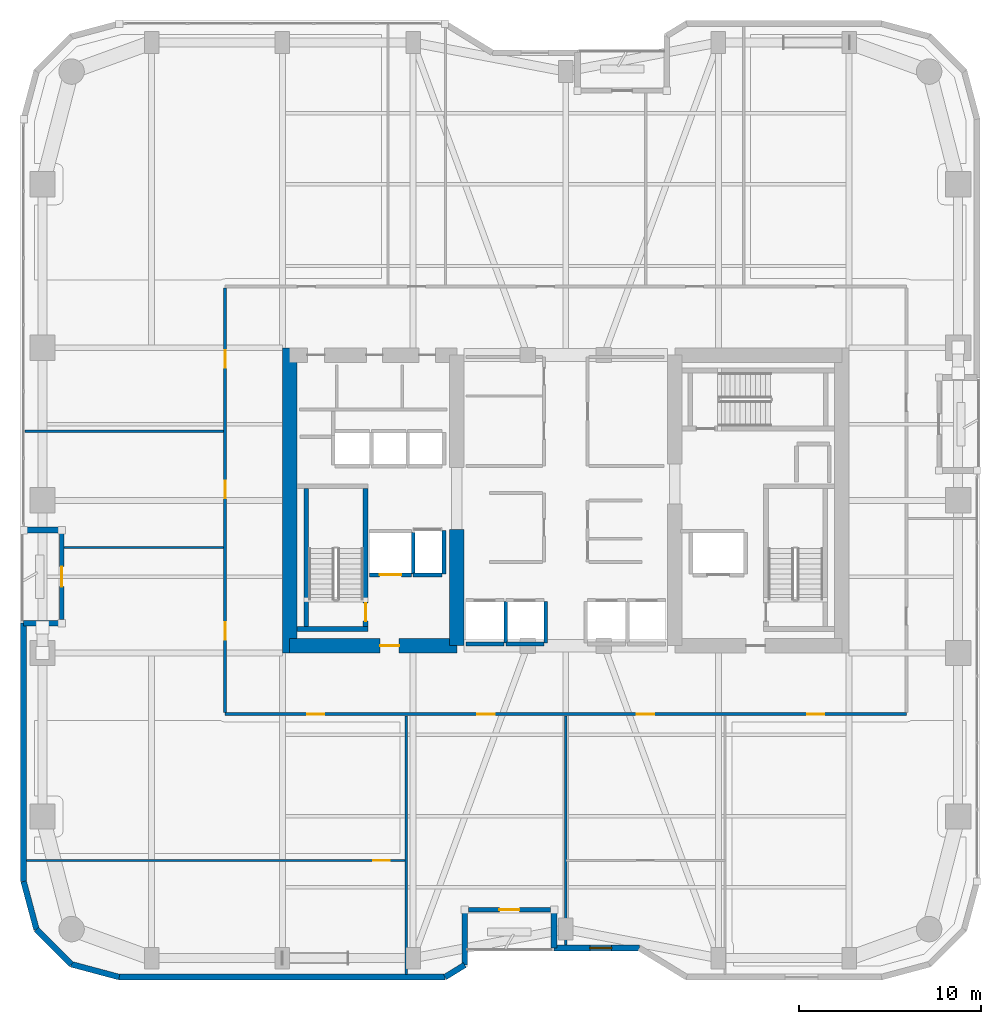
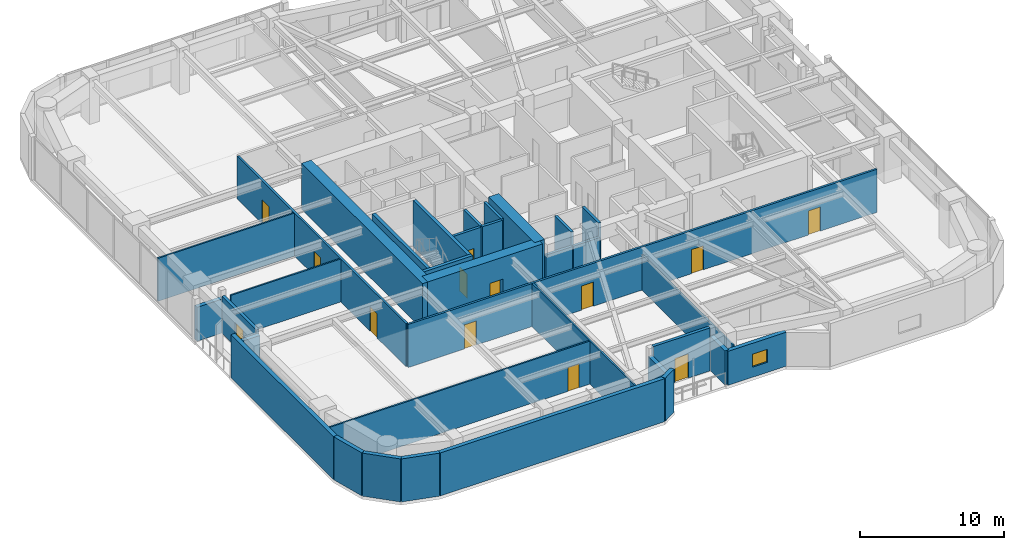
# One storey, part 18 of 24: 34 walls, 13 doors, 1 window, 14 openings.
"""IFC4 building model written with IfcOpenShell, lengths in metres."""

from ifc_helpers import new_model, si_unit, direction, frame, frame_2d, origin, place, context, subcontext, project, spatial, rectangle, extrude, material, layer, layer_set, type_object, element, fill, save


model = new_model("IFC4")

# Units and contexts
model_context = context("Model", 3, precision=1e-05, world=origin(), true_north=direction((0.0, 1.0)))
body_context = subcontext(model_context, "Body", "Model", "MODEL_VIEW")
ifc_project = project(units=[si_unit("LENGTHUNIT", "METRE"), si_unit("AREAUNIT", "SQUARE_METRE"), si_unit("VOLUMEUNIT", "CUBIC_METRE"), si_unit("PLANEANGLEUNIT", "RADIAN"), si_unit("MASSUNIT", "GRAM", prefix="KILO")], contexts=[model_context])

# Site, building, storey
site_placement = place(None, origin())
site = spatial("IfcSite", under=ifc_project, at=site_placement, CompositionType="ELEMENT")
building_placement = place(site_placement, origin())
building = spatial("IfcBuilding", under=site, at=building_placement, Name="Kiyonajd Concourse Tower", CompositionType="ELEMENT")
storey_placement = place(building_placement, frame((0.0, 0.0, 93.60009765625)))
storey = spatial("IfcBuildingStorey", under=building, at=storey_placement, Name="L24", CompositionType="ELEMENT", Elevation=93.60009765625)

# Walls
ifc_material_1 = material(Name="Concrete C70/85", Category="concrete")
ifc_layer_1 = layer(ifc_material_1, 0.800048828125)
ifc_layer_set_1 = layer_set([ifc_layer_1], Name="Concrete C70/85")
wall_type_1 = type_object("IfcWallType", Name="WL-CORE-800", PredefinedType="SHEAR", material=ifc_layer_set_1)
wall_1_placement = place(storey_placement, frame((32.800048828125, 27.60009765625, 0.0), z_axis=(0.0, 0.0, 1.0), x_axis=(0.0, 1.0, 0.0)))
element("IfcWall", 1, at=wall_1_placement, inside=storey, type_object=wall_type_1, Name="L24 West Core Outer Shear Wall", PredefinedType="SHEAR", context=body_context, shape_type="SweptSolid", body=[
    extrude(rectangle(XDim=16.7998046875, YDim=0.800048828125, at=frame_2d((8.39990234375, 0.0))), origin(), (0.0, 0.0, 1.0), 3.89990234375),
])
wall_2_placement = place(storey_placement, frame((42.0, 28.0, 0.0), z_axis=(0.0, 0.0, 1.0), x_axis=(0.0, 1.0, 0.0)))
element("IfcWall", 2, at=wall_2_placement, inside=storey, type_object=wall_type_1, Name="L24 West Core Inner South Shear Wall", PredefinedType="SHEAR", context=body_context, shape_type="SweptSolid", body=[
    extrude(rectangle(XDim=6.39990234375, YDim=0.800048828125, at=frame_2d((3.199951171875, 0.0))), origin(), (0.0, 0.0, 1.0), 3.89990234375),
])

# Wall, opening, door
wall_3_placement = place(storey_placement, frame((32.800048828125, 28.0, 0.0), z_axis=(0.0, 0.0, 1.0), x_axis=(1.0, 0.0, 0.0)))
wall_3 = element("IfcWall", 3, at=wall_3_placement, inside=storey, type_object=wall_type_1, Name="L24 West Core South Shear Wall", PredefinedType="SHEAR", context=body_context, shape_type="SweptSolid", body=[
    extrude(rectangle(XDim=9.199951171875, YDim=0.800048828125, at=frame_2d((4.60009765625, 0.0))), origin(), (0.0, 0.0, 1.0), 3.89990234375),
])
opening_1_placement = place(wall_3_placement, frame((4.97509765625, 0.0, 0.0)))
opening_1 = element("IfcOpeningElement", 4, at=opening_1_placement, cuts=wall_3, Name="Opening DF5", PredefinedType="OPENING", context=body_context, shape_type="SweptSolid", body=[
    extrude(rectangle(XDim=1.050048828125, YDim=2.0400390625, at=frame_2d((0.52490234375, 1.02001953125))), frame((0.0, 0.409912109375, 0.0), z_axis=(0.0, -1.0, 0.0), x_axis=(1.0, 0.0, 0.0)), (0.0, 0.0, 1.0), 0.820068359375),
])
ifc_material_2 = material(Name="Brushed Stainless Steel Cab Assembly", Category="steel")
door_type_1 = type_object("IfcDoorType", Name="DR-FD45-1050", OperationType="NOTDEFINED", PredefinedType="DOOR", material=ifc_material_2)
door_1_placement = place(opening_1_placement, origin())
door_1 = element("IfcDoor", 5, at=door_1_placement, inside=storey, type_object=door_type_1, Name="L24 Firefighting Lift Lobby W Smoke Door", OperationType="SINGLE_SWING_LEFT", OverallHeight=2.0400390625, OverallWidth=1.050048828125, PredefinedType="DOOR", context=body_context, shape_type="SweptSolid", body=[
    extrude(rectangle(XDim=1.050048828125, YDim=2.0400390625, at=frame_2d((0.52490234375, 1.02001953125))), frame((0.0, 0.02490234375, 0.0), z_axis=(0.0, -1.0, 0.0), x_axis=(1.0, 0.0, 0.0)), (0.0, 0.0, 1.0), 0.050048828125),
])
fill(opening_1, door_1)

# Walls
ifc_material_3 = material(Name="Precast concrete C50/60", Category="concrete")
ifc_layer_2 = layer(ifc_material_3, 0.320068359375)
ifc_layer_set_2 = layer_set([ifc_layer_2], Name="Precast concrete C50/60")
wall_type_2 = type_object("IfcWallType", Name="WL-EXT-320", PredefinedType="SOLIDWALL", material=ifc_layer_set_2)
wall_4_placement = place(storey_placement, frame((18.866455078125, 12.3828125, 0.0), z_axis=(0.0, 0.0, 1.0), x_axis=(-0.25869736047, 0.965958423373, 0.0)))
element("IfcWall", 6, at=wall_4_placement, inside=storey, type_object=wall_type_2, Name="L24 Exterior Concrete Frame Wall 00", PredefinedType="SOLIDWALL", context=body_context, shape_type="SweptSolid", body=[
    extrude(rectangle(XDim=2.731201171875, YDim=0.320068359375, at=frame_2d((1.36572265625, 0.0))), origin(), (0.0, 0.0, 1.0), 3.639892578125),
])
wall_5_placement = place(storey_placement, frame((18.159912109375, 15.02099609375, 0.0), z_axis=(0.0, 0.0, 1.0), x_axis=(0.0, 1.0, 0.0)))
element("IfcWall", 7, at=wall_5_placement, inside=storey, type_object=wall_type_2, Name="L24 Exterior Concrete Frame Wall 01", PredefinedType="SOLIDWALL", context=body_context, shape_type="SweptSolid", body=[
    extrude(rectangle(XDim=14.218994140625, YDim=0.320068359375, at=frame_2d((7.109375, 0.0))), origin(), (0.0, 0.0, 1.0), 3.639892578125),
])
for number, where, z_axis, x_axis, name in (
    (8, (18.159912109375, 29.239990234375, 0.0), (0.0, 0.0, 1.0), (1.0, 0.0, 0.0), "L24 Exterior Concrete Frame Wall 02"),
    (9, (20.260009765625, 34.360107421875, 0.0), (0.0, 0.0, 1.0), (-1.0, 0.0, 0.0), "L24 Exterior Concrete Frame Wall 04"),
):
    element("IfcWall", number, at=place(storey_placement, frame(where, z_axis=z_axis, x_axis=x_axis)), inside=storey, type_object=wall_type_2, Name=name, PredefinedType="SOLIDWALL", context=body_context, shape_type="SweptSolid", body=[
        extrude(rectangle(XDim=2.10009765625, YDim=0.320068359375, at=frame_2d((1.050048828125, 0.0))), origin(), (0.0, 0.0, 1.0), 2.875),
    ])

# Wall, opening, window
wall_6_placement = place(storey_placement, frame((52.04541015625, 11.360107421875, 0.0), z_axis=(0.0, 0.0, 1.0), x_axis=(-1.0, 0.0, 0.0)))
wall_6 = element("IfcWall", 10, at=wall_6_placement, inside=storey, type_object=wall_type_2, Name="L24 Exterior Concrete Frame Wall 30", PredefinedType="SOLIDWALL", context=body_context, shape_type="SweptSolid", body=[
    extrude(rectangle(XDim=4.685302734375, YDim=0.320068359375, at=frame_2d((2.3427734375, 0.0))), origin(), (0.0, 0.0, 1.0), 2.875),
])
opening_2_placement = place(wall_6_placement, frame((1.51806640625, 0.0, 0.85009765625)))
opening_2 = element("IfcOpeningElement", 11, at=opening_2_placement, cuts=wall_6, Name="Opening WN3", PredefinedType="OPENING", context=body_context, shape_type="SweptSolid", body=[
    extrude(rectangle(XDim=1.199951171875, YDim=1.10009765625, at=frame_2d((0.60009765625, 0.550048828125))), frame((0.0, 0.169921875, 0.0), z_axis=(0.0, -1.0, 0.0), x_axis=(1.0, 0.0, 0.0)), (0.0, 0.0, 1.0), 0.340087890625),
])
ifc_material_4 = material(Name="Double Low-E Insulated Glass", Category="glass")
window_type = type_object("IfcWindowType", Name="WN-VIS-1200x1100", PartitioningType="SINGLE_PANEL", PredefinedType="WINDOW", material=ifc_material_4)
window_placement = place(opening_2_placement, origin())
window = element("IfcWindow", 12, at=window_placement, inside=storey, type_object=window_type, Name="L24 Modular Facade Vision Window 30", OverallHeight=1.10009765625, OverallWidth=1.199951171875, PartitioningType="SINGLE_PANEL", PredefinedType="WINDOW", context=body_context, shape_type="SweptSolid", body=[
    extrude(rectangle(XDim=1.199951171875, YDim=1.10009765625, at=frame_2d((0.60009765625, 0.550048828125))), frame((0.0, 0.030029296875, 0.0), z_axis=(0.0, -1.0, 0.0), x_axis=(1.0, 0.0, 0.0)), (0.0, 0.0, 1.0), 0.06005859375),
])
fill(opening_2, window)

# Walls
wall_7_placement = place(storey_placement, frame((47.360107421875, 11.360107421875, 0.0), z_axis=(0.0, 0.0, 1.0), x_axis=(0.0, 1.0, 0.0)))
element("IfcWall", 13, at=wall_7_placement, inside=storey, type_object=wall_type_2, Name="L24 Exterior Concrete Frame Wall 31", PredefinedType="SOLIDWALL", context=body_context, shape_type="SweptSolid", body=[
    extrude(rectangle(XDim=2.099853515625, YDim=0.320068359375, at=frame_2d((1.0498046875, 0.0))), origin(), (0.0, 0.0, 1.0), 2.875),
])
wall_8_placement = place(storey_placement, frame((42.43994140625, 13.4599609375, 0.0), z_axis=(0.0, 0.0, 1.0), x_axis=(0.0, -1.0, 0.0)))
element("IfcWall", 14, at=wall_8_placement, inside=storey, type_object=wall_type_2, Name="L24 Exterior Concrete Frame Wall 33", PredefinedType="SOLIDWALL", context=body_context, shape_type="SweptSolid", body=[
    extrude(rectangle(XDim=3.032470703125, YDim=0.320068359375, at=frame_2d((1.51611328125, 0.0))), origin(), (0.0, 0.0, 1.0), 2.875),
])
wall_9_placement = place(storey_placement, frame((42.43994140625, 10.427490234375, 0.0), z_axis=(0.0, 0.0, 1.0), x_axis=(-0.851776724646, -0.523904964045, 0.0)))
element("IfcWall", 15, at=wall_9_placement, inside=storey, type_object=wall_type_2, Name="L24 Exterior Concrete Frame Wall 34", PredefinedType="SOLIDWALL", context=body_context, shape_type="SweptSolid", body=[
    extrude(rectangle(XDim=1.274169921875, YDim=0.320068359375, at=frame_2d((0.63720703125, 0.0))), origin(), (0.0, 0.0, 1.0), 3.639892578125),
])
wall_10_placement = place(storey_placement, frame((41.354736328125, 9.760009765625, 0.0), z_axis=(0.0, 0.0, 1.0), x_axis=(-1.0, 0.0, 0.0)))
element("IfcWall", 16, at=wall_10_placement, inside=storey, type_object=wall_type_2, Name="L24 Exterior Concrete Frame Wall 35", PredefinedType="SOLIDWALL", context=body_context, shape_type="SweptSolid", body=[
    extrude(rectangle(XDim=17.93359375, YDim=0.320068359375, at=frame_2d((8.966796875, 0.0))), origin(), (0.0, 0.0, 1.0), 3.639892578125),
])
wall_11_placement = place(storey_placement, frame((23.421142578125, 9.760009765625, 0.0), z_axis=(0.0, 0.0, 1.0), x_axis=(-0.965964405026, 0.25867502435, 0.0)))
element("IfcWall", 17, at=wall_11_placement, inside=storey, type_object=wall_type_2, Name="L24 Exterior Concrete Frame Wall 36", PredefinedType="SOLIDWALL", context=body_context, shape_type="SweptSolid", body=[
    extrude(rectangle(XDim=2.7314453125, YDim=0.320068359375, at=frame_2d((1.36572265625, 0.0))), origin(), (0.0, 0.0, 1.0), 3.639892578125),
])
wall_12_placement = place(storey_placement, frame((20.78271484375, 10.466552734375, 0.0), z_axis=(0.0, 0.0, 1.0), x_axis=(-0.707106781187, 0.707106781187, 0.0)))
element("IfcWall", 18, at=wall_12_placement, inside=storey, type_object=wall_type_2, Name="L24 Exterior Concrete Frame Wall 37", PredefinedType="SOLIDWALL", context=body_context, shape_type="SweptSolid", body=[
    extrude(rectangle(XDim=2.7099609375, YDim=0.320068359375, at=frame_2d((1.35498046875, 0.0))), origin(), (0.0, 0.0, 1.0), 3.639892578125),
])

# Wall, opening, door
ifc_layer_3 = layer(ifc_material_3, 0.239990234375)
ifc_layer_set_3 = layer_set([ifc_layer_3], Name="Precast concrete C50/60")
wall_type_3 = type_object("IfcWallType", Name="WL-LOG-240", PredefinedType="SOLIDWALL", material=ifc_layer_set_3)
wall_13_placement = place(storey_placement, frame((20.260009765625, 29.43505859375, 0.0), z_axis=(0.0, 0.0, 1.0), x_axis=(0.0, 1.0, 0.0)))
wall_13 = element("IfcWall", 19, at=wall_13_placement, inside=storey, type_object=wall_type_3, Name="L24 Recessed Loggia Thermal Wall LOG-W", PredefinedType="SOLIDWALL", context=body_context, shape_type="SweptSolid", body=[
    extrude(rectangle(XDim=4.72998046875, YDim=0.239990234375, at=frame_2d((2.364990234375, 0.0))), origin(), (0.0, 0.0, 1.0), 3.161865234375),
])
opening_3_placement = place(wall_13_placement, frame((1.81494140625, 0.0, 0.0)))
opening_3 = element("IfcOpeningElement", 20, at=opening_3_placement, cuts=wall_13, Name="Opening DL2", PredefinedType="OPENING", context=body_context, shape_type="SweptSolid", body=[
    extrude(rectangle(XDim=1.10009765625, YDim=2.0400390625, at=frame_2d((0.550048828125, 1.02001953125))), frame((0.0, 0.1298828125, 0.0), z_axis=(0.0, -1.0, 0.0), x_axis=(1.0, 0.0, 0.0)), (0.0, 0.0, 1.0), 0.260009765625),
])
ifc_material_5 = material(Name="Thermally Broken Anodised Aluminium", Category="aluminium")
door_type_2 = type_object("IfcDoorType", Name="DR-LOG-1100", OperationType="NOTDEFINED", PredefinedType="DOOR", material=ifc_material_5)
door_2_placement = place(opening_3_placement, origin())
door_2 = element("IfcDoor", 21, at=door_2_placement, inside=storey, type_object=door_type_2, Name="L24 Engawa Loggia Access Door LOG-W", OperationType="SINGLE_SWING_LEFT", OverallHeight=2.0400390625, OverallWidth=1.10009765625, PredefinedType="DOOR", context=body_context, shape_type="SweptSolid", body=[
    extrude(rectangle(XDim=1.10009765625, YDim=2.0400390625, at=frame_2d((0.550048828125, 1.02001953125))), frame((0.0, 0.02490234375, 0.0), z_axis=(0.0, -1.0, 0.0), x_axis=(1.0, 0.0, 0.0)), (0.0, 0.0, 1.0), 0.050048828125),
])
fill(opening_3, door_2)

wall_14_placement = place(storey_placement, frame((47.1650390625, 13.4599609375, 0.0), z_axis=(0.0, 0.0, 1.0), x_axis=(-1.0, 0.0, 0.0)))
wall_14 = element("IfcWall", 22, at=wall_14_placement, inside=storey, type_object=wall_type_3, Name="L24 Recessed Loggia Thermal Wall LOG-S", PredefinedType="SOLIDWALL", context=body_context, shape_type="SweptSolid", body=[
    extrude(rectangle(XDim=4.530029296875, YDim=0.239990234375, at=frame_2d((2.26513671875, 0.0))), origin(), (0.0, 0.0, 1.0), 3.639892578125),
])
opening_4_placement = place(wall_14_placement, frame((1.715087890625, 0.0, 0.0)))
opening_4 = element("IfcOpeningElement", 23, at=opening_4_placement, cuts=wall_14, Name="Opening DL2", PredefinedType="OPENING", context=body_context, shape_type="SweptSolid", body=[
    extrude(rectangle(XDim=1.10009765625, YDim=2.0400390625, at=frame_2d((0.550048828125, 1.02001953125))), frame((0.0, 0.1298828125, 0.0), z_axis=(0.0, -1.0, 0.0), x_axis=(1.0, 0.0, 0.0)), (0.0, 0.0, 1.0), 0.260009765625),
])
door_3_placement = place(opening_4_placement, origin())
door_3 = element("IfcDoor", 24, at=door_3_placement, inside=storey, type_object=door_type_2, Name="L24 Engawa Loggia Access Door LOG-S", OperationType="SINGLE_SWING_RIGHT", OverallHeight=2.0400390625, OverallWidth=1.10009765625, PredefinedType="DOOR", context=body_context, shape_type="SweptSolid", body=[
    extrude(rectangle(XDim=1.10009765625, YDim=2.0400390625, at=frame_2d((0.550048828125, 1.02001953125))), frame((0.0, 0.02490234375, 0.0), z_axis=(0.0, -1.0, 0.0), x_axis=(1.0, 0.0, 0.0)), (0.0, 0.0, 1.0), 0.050048828125),
])
fill(opening_4, door_3)

ifc_material_6 = material(Name="Gypsum Board on Cold-Formed Steel Stud", Category="steel")
ifc_layer_4 = layer(ifc_material_6, 0.125)
ifc_layer_set_4 = layer_set([ifc_layer_4], Name="Gypsum Board on Cold-Formed Steel Stud")
wall_type_4 = type_object("IfcWallType", Name="WL-PART-125", PredefinedType="PARTITIONING", material=ifc_layer_set_4)
wall_15_placement = place(storey_placement, frame((18.31494140625, 16.179931640625, 0.0), z_axis=(0.0, 0.0, 1.0), x_axis=(1.0, 0.0, 0.0)))
wall_15 = element("IfcWall", 25, at=wall_15_placement, inside=storey, type_object=wall_type_4, Name="L24 Interior Partition Wall", PredefinedType="PARTITIONING", context=body_context, shape_type="SweptSolid", body=[
    extrude(rectangle(XDim=20.905029296875, YDim=0.125, at=frame_2d((10.45263671875, 0.0))), origin(), (0.0, 0.0, 1.0), 3.639892578125),
])
opening_5_placement = place(wall_15_placement, frame((19.0849609375, 0.0, 0.0)))
opening_5 = element("IfcOpeningElement", 26, at=opening_5_placement, cuts=wall_15, Name="Opening DI2", PredefinedType="OPENING", context=body_context, shape_type="SweptSolid", body=[
    extrude(rectangle(XDim=0.89990234375, YDim=2.02001953125, at=frame_2d((0.449951171875, 1.010009765625))), frame((0.0, 0.072509765625, 0.0), z_axis=(0.0, -1.0, 0.0), x_axis=(1.0, 0.0, 0.0)), (0.0, 0.0, 1.0), 0.14501953125),
])
ifc_material_7 = material(Name="Natural Oak Acoustic Timber Veneer", Category="wood")
door_type_3 = type_object("IfcDoorType", Name="DR-INT-900", OperationType="NOTDEFINED", PredefinedType="DOOR", material=ifc_material_7)
door_4_placement = place(opening_5_placement, origin())
door_4 = element("IfcDoor", 27, at=door_4_placement, inside=storey, type_object=door_type_3, Name="L24 Interior Door", OperationType="SINGLE_SWING_RIGHT", OverallHeight=2.02001953125, OverallWidth=0.89990234375, PredefinedType="DOOR", context=body_context, shape_type="SweptSolid", body=[
    extrude(rectangle(XDim=0.89990234375, YDim=2.02001953125, at=frame_2d((0.449951171875, 1.010009765625))), frame((0.0, 0.02490234375, 0.0), z_axis=(0.0, -1.0, 0.0), x_axis=(1.0, 0.0, 0.0)), (0.0, 0.0, 1.0), 0.050048828125),
])
fill(opening_5, door_4)

# Walls
wall_16_placement = place(storey_placement, frame((39.219970703125, 9.9150390625, 0.0), z_axis=(0.0, 0.0, 1.0), x_axis=(0.0, 1.0, 0.0)))
element("IfcWall", 28, at=wall_16_placement, inside=storey, type_object=wall_type_4, Name="L24 Interior Partition Wall", PredefinedType="PARTITIONING", context=body_context, shape_type="SweptSolid", body=[
    extrude(rectangle(XDim=14.22802734375, YDim=0.125, at=frame_2d((7.114013671875, 0.0))), origin(), (0.0, 0.0, 1.0), 3.639892578125),
])
wall_17_placement = place(storey_placement, frame((48.0, 11.514892578125, 0.0), z_axis=(0.0, 0.0, 1.0), x_axis=(0.0, 1.0, 0.0)))
element("IfcWall", 29, at=wall_17_placement, inside=storey, type_object=wall_type_4, Name="L24 Interior Partition Wall", PredefinedType="PARTITIONING", context=body_context, shape_type="SweptSolid", body=[
    extrude(rectangle(XDim=12.628173828125, YDim=0.125, at=frame_2d((6.31396484375, 0.0))), origin(), (0.0, 0.0, 1.0), 3.0029296875),
])
wall_18_placement = place(storey_placement, frame((20.375, 33.39990234375, 0.0), z_axis=(0.0, 0.0, 1.0), x_axis=(1.0, 0.0, 0.0)))
element("IfcWall", 30, at=wall_18_placement, inside=storey, type_object=wall_type_4, Name="L24 Interior Partition Wall", PredefinedType="PARTITIONING", context=body_context, shape_type="SweptSolid", body=[
    extrude(rectangle(XDim=8.7880859375, YDim=0.125, at=frame_2d((4.39404296875, 0.0))), origin(), (0.0, 0.0, 1.0), 3.639892578125),
])
wall_19_placement = place(storey_placement, frame((18.2451171875, 39.800048828125, 0.0), z_axis=(0.0, 0.0, 1.0), x_axis=(1.0, 0.0, 0.0)))
element("IfcWall", 31, at=wall_19_placement, inside=storey, type_object=wall_type_4, Name="L24 Interior Partition Wall", PredefinedType="PARTITIONING", context=body_context, shape_type="SweptSolid", body=[
    extrude(rectangle(XDim=10.91796875, YDim=0.125, at=frame_2d((5.458984375, 0.0))), origin(), (0.0, 0.0, 1.0), 3.639892578125),
])

# Wall, opening, door
ifc_layer_5 = layer(ifc_material_6, 0.2099609375)
ifc_layer_set_5 = layer_set([ifc_layer_5], Name="Gypsum Board on Cold-Formed Steel Stud")
wall_type_5 = type_object("IfcWallType", Name="WL-SHAFT-210", PredefinedType="PARTITIONING", material=ifc_layer_set_5)
wall_20_placement = place(storey_placement, frame((37.199951171875, 31.89990234375, 0.0), z_axis=(0.0, 0.0, 1.0), x_axis=(1.0, 0.0, 0.0)))
wall_20 = element("IfcWall", 32, at=wall_20_placement, inside=storey, type_object=wall_type_5, Name="L24 Shaft Enclosure Wall", PredefinedType="PARTITIONING", context=body_context, shape_type="SweptSolid", body=[
    extrude(rectangle(XDim=2.300048828125, YDim=0.2099609375, at=frame_2d((1.14990234375, 0.0))), origin(), (0.0, 0.0, 1.0), 3.639892578125),
])
opening_6_placement = place(wall_20_placement, frame((0.550048828125, 0.0, 0.0)))
opening_6 = element("IfcOpeningElement", 33, at=opening_6_placement, cuts=wall_20, Name="Opening LD2", PredefinedType="OPENING", context=body_context, shape_type="SweptSolid", body=[
    extrude(rectangle(XDim=1.199951171875, YDim=2.0400390625, at=frame_2d((0.60009765625, 1.02001953125))), frame((0.0, 0.114990234375, 0.0), z_axis=(0.0, -1.0, 0.0), x_axis=(1.0, 0.0, 0.0)), (0.0, 0.0, 1.0), 0.22998046875),
])
door_type_4 = type_object("IfcDoorType", Name="DR-LD-1200", OperationType="DOUBLE_DOOR_SLIDING", PredefinedType="DOOR", material=ifc_material_2)
door_5_placement = place(opening_6_placement, origin())
door_5 = element("IfcDoor", 34, at=door_5_placement, inside=storey, type_object=door_type_4, Name="L24 Lift FFL1 Sliding Landing Door", OperationType="DOUBLE_DOOR_SLIDING", OverallHeight=2.0400390625, OverallWidth=1.199951171875, PredefinedType="DOOR", context=body_context, shape_type="SweptSolid", body=[
    extrude(rectangle(XDim=1.199951171875, YDim=2.0400390625, at=frame_2d((0.60009765625, 1.02001953125))), frame((0.0, 0.02490234375, 0.0), z_axis=(0.0, -1.0, 0.0), x_axis=(1.0, 0.0, 0.0)), (0.0, 0.0, 1.0), 0.050048828125),
])
fill(opening_6, door_5)

# Walls
wall_21_placement = place(storey_placement, frame((39.60009765625, 31.9599609375, 0.0), z_axis=(0.0, 0.0, 1.0), x_axis=(0.0, 1.0, 0.0)))
element("IfcWall", 35, at=wall_21_placement, inside=storey, type_object=wall_type_5, Name="L24 Shaft Enclosure Wall", PredefinedType="PARTITIONING", context=body_context, shape_type="SweptSolid", body=[
    extrude(rectangle(XDim=2.280029296875, YDim=0.2099609375, at=frame_2d((1.14013671875, 0.0))), origin(), (0.0, 0.0, 1.0), 3.639892578125),
])
wall_22_placement = place(storey_placement, frame((39.60009765625, 31.89990234375, 0.0), z_axis=(0.0, 0.0, 1.0), x_axis=(1.0, 0.0, 0.0)))
element("IfcWall", 36, at=wall_22_placement, inside=storey, type_object=wall_type_5, Name="L24 Shaft Enclosure Wall", PredefinedType="PARTITIONING", context=body_context, shape_type="SweptSolid", body=[
    extrude(rectangle(XDim=1.599853515625, YDim=0.2099609375, at=frame_2d((0.7998046875, 0.0))), origin(), (0.0, 0.0, 1.0), 3.639892578125),
])
wall_23_placement = place(storey_placement, frame((41.300048828125, 31.9599609375, 0.0), z_axis=(0.0, 0.0, 1.0), x_axis=(0.0, 1.0, 0.0)))
element("IfcWall", 37, at=wall_23_placement, inside=storey, type_object=wall_type_5, Name="L24 Shaft Enclosure Wall", PredefinedType="PARTITIONING", context=body_context, shape_type="SweptSolid", body=[
    extrude(rectangle(XDim=2.380126953125, YDim=0.2099609375, at=frame_2d((1.18994140625, 0.0))), origin(), (0.0, 0.0, 1.0), 3.639892578125),
])
wall_24_placement = place(storey_placement, frame((42.5, 28.10009765625, 0.0), z_axis=(0.0, 0.0, 1.0), x_axis=(1.0, 0.0, 0.0)))
element("IfcWall", 38, at=wall_24_placement, inside=storey, type_object=wall_type_5, Name="L24 Shaft Enclosure Wall", PredefinedType="PARTITIONING", context=body_context, shape_type="SweptSolid", body=[
    extrude(rectangle(XDim=2.10009765625, YDim=0.2099609375, at=frame_2d((1.050048828125, 0.0))), origin(), (0.0, 0.0, 1.0), 2.52490234375),
])
wall_25_placement = place(storey_placement, frame((44.699951171875, 28.159912109375, 0.0), z_axis=(0.0, 0.0, 1.0), x_axis=(0.0, 1.0, 0.0)))
element("IfcWall", 39, at=wall_25_placement, inside=storey, type_object=wall_type_5, Name="L24 Shaft Enclosure Wall", PredefinedType="PARTITIONING", context=body_context, shape_type="SweptSolid", body=[
    extrude(rectangle(XDim=2.280029296875, YDim=0.2099609375, at=frame_2d((1.14013671875, 0.0))), origin(), (0.0, 0.0, 1.0), 3.639892578125),
])
wall_26_placement = place(storey_placement, frame((44.699951171875, 28.10009765625, 0.0), z_axis=(0.0, 0.0, 1.0), x_axis=(1.0, 0.0, 0.0)))
element("IfcWall", 40, at=wall_26_placement, inside=storey, type_object=wall_type_5, Name="L24 Shaft Enclosure Wall", PredefinedType="PARTITIONING", context=body_context, shape_type="SweptSolid", body=[
    extrude(rectangle(XDim=2.10009765625, YDim=0.2099609375, at=frame_2d((1.050048828125, 0.0))), origin(), (0.0, 0.0, 1.0), 2.52490234375),
])
wall_27_placement = place(storey_placement, frame((46.89990234375, 28.159912109375, 0.0), z_axis=(0.0, 0.0, 1.0), x_axis=(0.0, 1.0, 0.0)))
element("IfcWall", 41, at=wall_27_placement, inside=storey, type_object=wall_type_5, Name="L24 Shaft Enclosure Wall", PredefinedType="PARTITIONING", context=body_context, shape_type="SweptSolid", body=[
    extrude(rectangle(XDim=2.280029296875, YDim=0.2099609375, at=frame_2d((1.14013671875, 0.0))), origin(), (0.0, 0.0, 1.0), 3.639892578125),
])

# Wall, openings, doors
ifc_layer_6 = layer(ifc_material_6, 0.169921875)
ifc_layer_set_6 = layer_set([ifc_layer_6], Name="Gypsum Board on Cold-Formed Steel Stud")
wall_type_6 = type_object("IfcWallType", Name="WL-SMK-170", PredefinedType="PARTITIONING", material=ifc_layer_set_6)
wall_28_placement = place(storey_placement, frame((29.25, 24.22998046875, 0.0), z_axis=(0.0, 0.0, 1.0), x_axis=(1.0, 0.0, 0.0)))
wall_28 = element("IfcWall", 42, at=wall_28_placement, inside=storey, type_object=wall_type_6, Name="L24 Interior Partition Wall", PredefinedType="PARTITIONING", context=body_context, shape_type="SweptSolid", body=[
    extrude(rectangle(XDim=37.5, YDim=0.169921875, at=frame_2d((18.75, 0.0))), origin(), (0.0, 0.0, 1.0), 3.639892578125),
])
opening_7_placement = place(wall_28_placement, frame((4.510009765625, 0.0, 0.0)))
opening_7 = element("IfcOpeningElement", 43, at=opening_7_placement, cuts=wall_28, Name="Opening DI1", PredefinedType="OPENING", context=body_context, shape_type="SweptSolid", body=[
    extrude(rectangle(XDim=0.949951171875, YDim=2.0400390625, at=frame_2d((0.47509765625, 1.02001953125))), frame((0.0, 0.094970703125, 0.0), z_axis=(0.0, -1.0, 0.0), x_axis=(1.0, 0.0, 0.0)), (0.0, 0.0, 1.0), 0.18994140625),
])
opening_8_placement = place(wall_28_placement, frame((13.885009765625, 0.0, 0.0)))
opening_8 = element("IfcOpeningElement", 44, at=opening_8_placement, cuts=wall_28, Name="Opening DI1", PredefinedType="OPENING", context=body_context, shape_type="SweptSolid", body=[
    extrude(rectangle(XDim=0.949951171875, YDim=2.0400390625, at=frame_2d((0.47509765625, 1.02001953125))), frame((0.0, 0.094970703125, 0.0), z_axis=(0.0, -1.0, 0.0), x_axis=(1.0, 0.0, 0.0)), (0.0, 0.0, 1.0), 0.18994140625),
])
opening_9_placement = place(wall_28_placement, frame((22.659912109375, 0.0, 0.0)))
opening_9 = element("IfcOpeningElement", 45, at=opening_9_placement, cuts=wall_28, Name="Opening DI1", PredefinedType="OPENING", context=body_context, shape_type="SweptSolid", body=[
    extrude(rectangle(XDim=0.949951171875, YDim=2.0400390625, at=frame_2d((0.47509765625, 1.02001953125))), frame((0.0, 0.094970703125, 0.0), z_axis=(0.0, -1.0, 0.0), x_axis=(1.0, 0.0, 0.0)), (0.0, 0.0, 1.0), 0.18994140625),
])
opening_10_placement = place(wall_28_placement, frame((32.034912109375, 0.0, 0.0)))
opening_10 = element("IfcOpeningElement", 46, at=opening_10_placement, cuts=wall_28, Name="Opening DI1", PredefinedType="OPENING", context=body_context, shape_type="SweptSolid", body=[
    extrude(rectangle(XDim=0.949951171875, YDim=2.0400390625, at=frame_2d((0.47509765625, 1.02001953125))), frame((0.0, 0.094970703125, 0.0), z_axis=(0.0, -1.0, 0.0), x_axis=(1.0, 0.0, 0.0)), (0.0, 0.0, 1.0), 0.18994140625),
])
door_type_5 = type_object("IfcDoorType", Name="DR-INT-950", OperationType="NOTDEFINED", PredefinedType="DOOR", material=ifc_material_7)
door_6_placement = place(opening_7_placement, origin())
door_6 = element("IfcDoor", 47, at=door_6_placement, inside=storey, type_object=door_type_5, Name="L24 Interior Door", OperationType="SINGLE_SWING_LEFT", OverallHeight=2.0400390625, OverallWidth=0.949951171875, PredefinedType="DOOR", context=body_context, shape_type="SweptSolid", body=[
    extrude(rectangle(XDim=0.949951171875, YDim=2.0400390625, at=frame_2d((0.47509765625, 1.02001953125))), frame((0.0, 0.02490234375, 0.0), z_axis=(0.0, -1.0, 0.0), x_axis=(1.0, 0.0, 0.0)), (0.0, 0.0, 1.0), 0.050048828125),
])
fill(opening_7, door_6)
door_7_placement = place(opening_8_placement, origin())
door_7 = element("IfcDoor", 48, at=door_7_placement, inside=storey, type_object=door_type_5, Name="L24 Interior Door", OperationType="SINGLE_SWING_RIGHT", OverallHeight=2.0400390625, OverallWidth=0.949951171875, PredefinedType="DOOR", context=body_context, shape_type="SweptSolid", body=[
    extrude(rectangle(XDim=0.949951171875, YDim=2.0400390625, at=frame_2d((0.47509765625, 1.02001953125))), frame((0.0, 0.02490234375, 0.0), z_axis=(0.0, -1.0, 0.0), x_axis=(1.0, 0.0, 0.0)), (0.0, 0.0, 1.0), 0.050048828125),
])
fill(opening_8, door_7)
door_8_placement = place(opening_9_placement, origin())
door_8 = element("IfcDoor", 49, at=door_8_placement, inside=storey, type_object=door_type_5, Name="L24 Interior Door", OperationType="SINGLE_SWING_RIGHT", OverallHeight=2.0400390625, OverallWidth=0.949951171875, PredefinedType="DOOR", context=body_context, shape_type="SweptSolid", body=[
    extrude(rectangle(XDim=0.949951171875, YDim=2.0400390625, at=frame_2d((0.47509765625, 1.02001953125))), frame((0.0, 0.02490234375, 0.0), z_axis=(0.0, -1.0, 0.0), x_axis=(1.0, 0.0, 0.0)), (0.0, 0.0, 1.0), 0.050048828125),
])
fill(opening_9, door_8)
door_9_placement = place(opening_10_placement, origin())
door_9 = element("IfcDoor", 50, at=door_9_placement, inside=storey, type_object=door_type_5, Name="L24 Interior Door", OperationType="SINGLE_SWING_LEFT", OverallHeight=2.0400390625, OverallWidth=0.949951171875, PredefinedType="DOOR", context=body_context, shape_type="SweptSolid", body=[
    extrude(rectangle(XDim=0.949951171875, YDim=2.0400390625, at=frame_2d((0.47509765625, 1.02001953125))), frame((0.0, 0.02490234375, 0.0), z_axis=(0.0, -1.0, 0.0), x_axis=(1.0, 0.0, 0.0)), (0.0, 0.0, 1.0), 0.050048828125),
])
fill(opening_10, door_9)

wall_29_placement = place(storey_placement, frame((29.25, 24.31689453125, 0.0), z_axis=(0.0, 0.0, 1.0), x_axis=(0.0, 1.0, 0.0)))
wall_29 = element("IfcWall", 51, at=wall_29_placement, inside=storey, type_object=wall_type_6, Name="L24 Interior Partition Wall", PredefinedType="PARTITIONING", context=body_context, shape_type="SweptSolid", body=[
    extrude(rectangle(XDim=23.3662109375, YDim=0.169921875, at=frame_2d((11.68310546875, 0.0))), origin(), (0.0, 0.0, 1.0), 3.639892578125),
])
opening_11_placement = place(wall_29_placement, frame((4.02294921875, 0.0, 0.0)))
opening_11 = element("IfcOpeningElement", 52, at=opening_11_placement, cuts=wall_29, Name="Opening DI1", PredefinedType="OPENING", context=body_context, shape_type="SweptSolid", body=[
    extrude(rectangle(XDim=0.949951171875, YDim=2.0400390625, at=frame_2d((0.47509765625, 1.02001953125))), frame((0.0, 0.094970703125, 0.0), z_axis=(0.0, -1.0, 0.0), x_axis=(1.0, 0.0, 0.0)), (0.0, 0.0, 1.0), 0.18994140625),
])
opening_12_placement = place(wall_29_placement, frame((11.80810546875, 0.0, 0.0)))
opening_12 = element("IfcOpeningElement", 53, at=opening_12_placement, cuts=wall_29, Name="Opening DI1", PredefinedType="OPENING", context=body_context, shape_type="SweptSolid", body=[
    extrude(rectangle(XDim=0.949951171875, YDim=2.0400390625, at=frame_2d((0.47509765625, 1.02001953125))), frame((0.0, 0.094970703125, 0.0), z_axis=(0.0, -1.0, 0.0), x_axis=(1.0, 0.0, 0.0)), (0.0, 0.0, 1.0), 0.18994140625),
])
opening_13_placement = place(wall_29_placement, frame((18.992919921875, 0.0, 0.0)))
opening_13 = element("IfcOpeningElement", 54, at=opening_13_placement, cuts=wall_29, Name="Opening DI1", PredefinedType="OPENING", context=body_context, shape_type="SweptSolid", body=[
    extrude(rectangle(XDim=0.949951171875, YDim=2.0400390625, at=frame_2d((0.47509765625, 1.02001953125))), frame((0.0, 0.094970703125, 0.0), z_axis=(0.0, -1.0, 0.0), x_axis=(1.0, 0.0, 0.0)), (0.0, 0.0, 1.0), 0.18994140625),
])
door_10_placement = place(opening_11_placement, origin())
door_10 = element("IfcDoor", 55, at=door_10_placement, inside=storey, type_object=door_type_5, Name="L24 Interior Door", OperationType="SINGLE_SWING_LEFT", OverallHeight=2.0400390625, OverallWidth=0.949951171875, PredefinedType="DOOR", context=body_context, shape_type="SweptSolid", body=[
    extrude(rectangle(XDim=0.949951171875, YDim=2.0400390625, at=frame_2d((0.47509765625, 1.02001953125))), frame((0.0, 0.02490234375, 0.0), z_axis=(0.0, -1.0, 0.0), x_axis=(1.0, 0.0, 0.0)), (0.0, 0.0, 1.0), 0.050048828125),
])
fill(opening_11, door_10)
door_11_placement = place(opening_12_placement, origin())
door_11 = element("IfcDoor", 56, at=door_11_placement, inside=storey, type_object=door_type_5, Name="L24 Interior Door", OperationType="SINGLE_SWING_RIGHT", OverallHeight=2.0400390625, OverallWidth=0.949951171875, PredefinedType="DOOR", context=body_context, shape_type="SweptSolid", body=[
    extrude(rectangle(XDim=0.949951171875, YDim=2.0400390625, at=frame_2d((0.47509765625, 1.02001953125))), frame((0.0, 0.02490234375, 0.0), z_axis=(0.0, -1.0, 0.0), x_axis=(1.0, 0.0, 0.0)), (0.0, 0.0, 1.0), 0.050048828125),
])
fill(opening_12, door_11)
door_12_placement = place(opening_13_placement, origin())
door_12 = element("IfcDoor", 57, at=door_12_placement, inside=storey, type_object=door_type_5, Name="L24 Interior Door", OperationType="SINGLE_SWING_LEFT", OverallHeight=2.0400390625, OverallWidth=0.949951171875, PredefinedType="DOOR", context=body_context, shape_type="SweptSolid", body=[
    extrude(rectangle(XDim=0.949951171875, YDim=2.0400390625, at=frame_2d((0.47509765625, 1.02001953125))), frame((0.0, 0.02490234375, 0.0), z_axis=(0.0, -1.0, 0.0), x_axis=(1.0, 0.0, 0.0)), (0.0, 0.0, 1.0), 0.050048828125),
])
fill(opening_13, door_12)

# Walls
ifc_material_8 = material(Name="Concrete C50/60", Category="concrete")
ifc_layer_7 = layer(ifc_material_8, 0.260009765625)
ifc_layer_set_7 = layer_set([ifc_layer_7], Name="Concrete C50/60")
wall_type_7 = type_object("IfcWallType", Name="WL-STAIR-260", PredefinedType="SHEAR", material=ifc_layer_set_7)
wall_30_placement = place(storey_placement, frame((33.199951171875, 28.919921875, 0.0), z_axis=(0.0, 0.0, 1.0), x_axis=(1.0, 0.0, 0.0)))
element("IfcWall", 58, at=wall_30_placement, inside=storey, type_object=wall_type_7, Name="L24 Stair ST1 Structural South Wall", PredefinedType="SHEAR", context=body_context, shape_type="SweptSolid", body=[
    extrude(rectangle(XDim=3.91015625, YDim=0.260009765625, at=frame_2d((1.955078125, 0.0))), origin(), (0.0, 0.0, 1.0), 3.89990234375),
])
wall_31_placement = place(storey_placement, frame((33.719970703125, 29.050048828125, 0.0), z_axis=(0.0, 0.0, 1.0), x_axis=(0.0, 1.0, 0.0)))
element("IfcWall", 59, at=wall_31_placement, inside=storey, type_object=wall_type_7, Name="L24 Stair ST1 Structural West Wall", PredefinedType="SHEAR", context=body_context, shape_type="SweptSolid", body=[
    extrude(rectangle(XDim=7.599853515625, YDim=0.260009765625, at=frame_2d((3.7998046875, 0.0))), origin(), (0.0, 0.0, 1.0), 3.89990234375),
])

# Wall, opening, door
wall_32_placement = place(storey_placement, frame((36.97998046875, 29.050048828125, 0.0), z_axis=(0.0, 0.0, 1.0), x_axis=(0.0, 1.0, 0.0)))
wall_32 = element("IfcWall", 60, at=wall_32_placement, inside=storey, type_object=wall_type_7, Name="L24 Stair ST1 Structural East Wall", PredefinedType="SHEAR", context=body_context, shape_type="SweptSolid", body=[
    extrude(rectangle(XDim=7.599853515625, YDim=0.260009765625, at=frame_2d((3.7998046875, 0.0))), origin(), (0.0, 0.0, 1.0), 3.89990234375),
])
opening_14_placement = place(wall_32_placement, frame((0.300048828125, 0.0, 0.0)))
opening_14 = element("IfcOpeningElement", 61, at=opening_14_placement, cuts=wall_32, Name="Opening DF1", PredefinedType="OPENING", context=body_context, shape_type="SweptSolid", body=[
    extrude(rectangle(XDim=1.0, YDim=2.0400390625, at=frame_2d((0.5, 1.02001953125))), frame((0.0, 0.139892578125, 0.0), z_axis=(0.0, -1.0, 0.0), x_axis=(1.0, 0.0, 0.0)), (0.0, 0.0, 1.0), 0.280029296875),
])
door_type_6 = type_object("IfcDoorType", Name="DR-FD90-1000", OperationType="NOTDEFINED", PredefinedType="DOOR", material=ifc_material_2)
door_13_placement = place(opening_14_placement, origin())
door_13 = element("IfcDoor", 62, at=door_13_placement, inside=storey, type_object=door_type_6, Name="L24 Stair ST1 FSAE Door", OperationType="SINGLE_SWING_LEFT", OverallHeight=2.0400390625, OverallWidth=1.0, PredefinedType="DOOR", context=body_context, shape_type="SweptSolid", body=[
    extrude(rectangle(XDim=1.0, YDim=2.0400390625, at=frame_2d((0.5, 1.02001953125))), frame((0.0, 0.02490234375, 0.0), z_axis=(0.0, -1.0, 0.0), x_axis=(1.0, 0.0, 0.0)), (0.0, 0.0, 1.0), 0.050048828125),
])
fill(opening_14, door_13)

save(model, "model.ifc")
